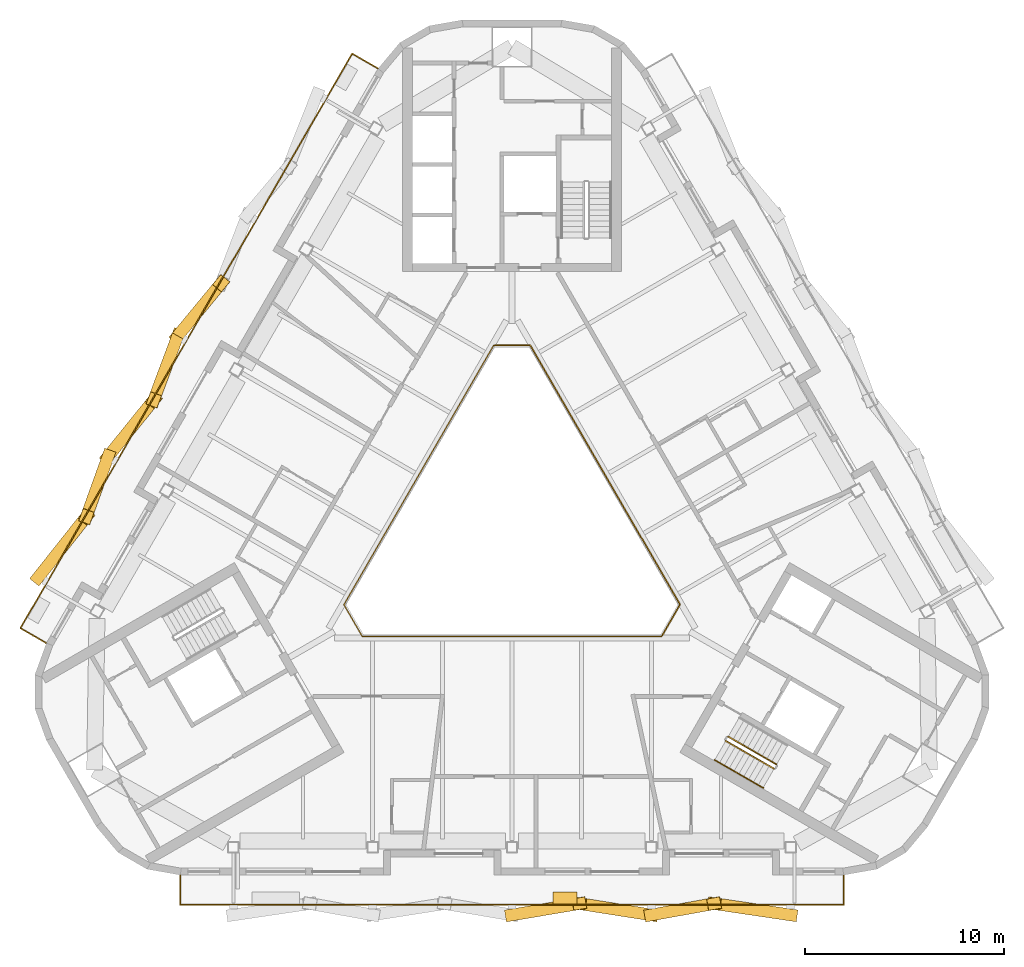
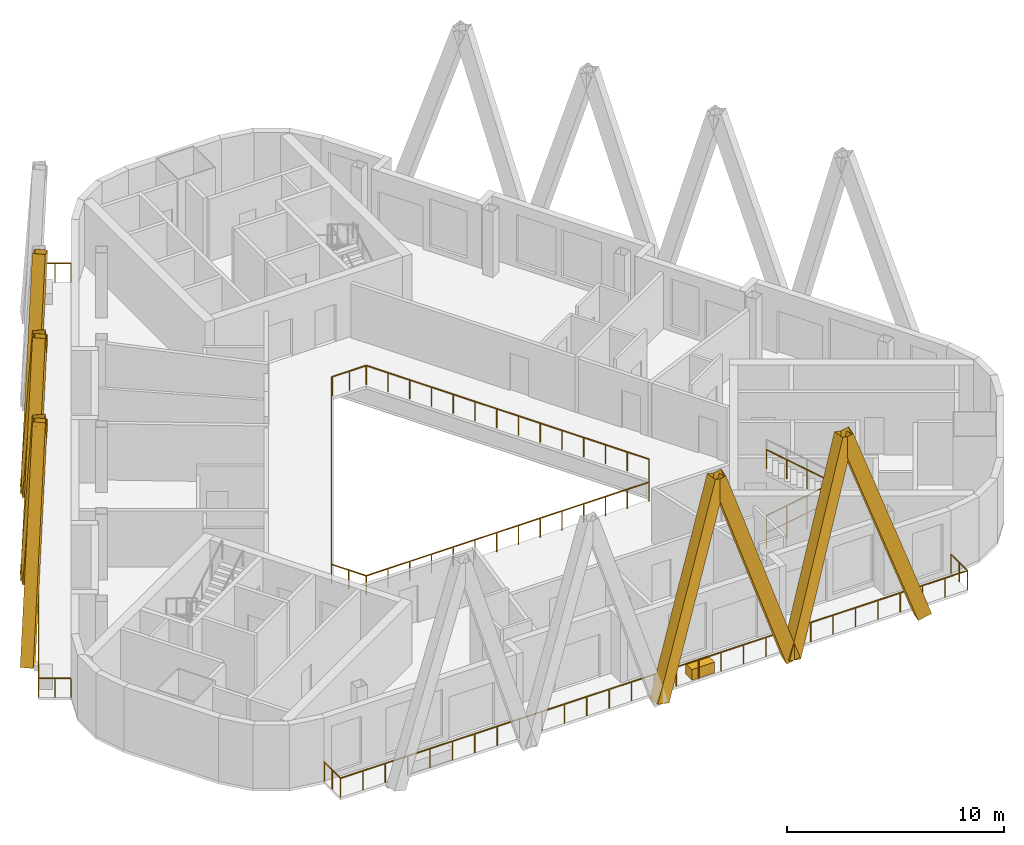
# One storey, part 9 of 12: 9 shading devices, 7 railings, 1 covering.
"""IFC4 building model written with IfcOpenShell, lengths in metres."""

from ifc_helpers import new_model, si_unit, direction, frame, origin, origin_2d, place, context, subcontext, project, spatial, rectangle, hollow_rectangle, circle, extrude, material, material_profile, profile_set, type_object, element, save


model = new_model("IFC4")

# Units and contexts
model_context = context("Model", 3, precision=1e-05, world=origin(), true_north=direction((0.0, 1.0)))
body_context = subcontext(model_context, "Body", "Model", "MODEL_VIEW")
ifc_project = project(units=[si_unit("LENGTHUNIT", "METRE"), si_unit("AREAUNIT", "SQUARE_METRE"), si_unit("VOLUMEUNIT", "CUBIC_METRE"), si_unit("PLANEANGLEUNIT", "RADIAN"), si_unit("MASSUNIT", "GRAM", prefix="KILO")], contexts=[model_context])

# Site, building, storey
site_placement = place(None, origin())
site = spatial("IfcSite", under=ifc_project, at=site_placement, CompositionType="ELEMENT")
building_placement = place(site_placement, origin())
building = spatial("IfcBuilding", under=site, at=building_placement, Name="Apuvela Tower Hotel", CompositionType="ELEMENT")
storey_placement = place(building_placement, frame((0.0, 0.0, 291.10009765625)))
storey = spatial("IfcBuildingStorey", under=building, at=storey_placement, Name="L72", CompositionType="ELEMENT", Elevation=291.10009765625)

# Railings
ifc_material_1 = material(Name="Steel S275 balustrade", Category="steel")
railing_type_1 = type_object("IfcRailingType", Name="COR-GUARD-1100", PredefinedType="GUARDRAIL", material=ifc_material_1)
railing_1_placement = place(storey_placement, frame((10.718994140625, -10.63427734375, 0.16796875)))
element("IfcRailing", 1, at=railing_1_placement, inside=storey, type_object=railing_type_1, Name="L72 ST3 stair guard 1", PredefinedType="GUARDRAIL", context=body_context, shape_type="SweptSolid", body=[
    extrude(rectangle(XDim=0.048095703125, YDim=0.048095703125, at=origin_2d()), frame((0.0, 0.0, 1.076171875), z_axis=(0.742390482028, -0.42860119049, 0.514934356695), x_axis=(0.49998411664, 0.866034573852, 0.0)), (0.0, 0.0, 1.0), 3.26611328125),
    extrude(rectangle(XDim=0.0419921875, YDim=0.0419921875, at=origin_2d()), origin(), (0.0, 0.0, 1.0), 1.052001953125),
    extrude(rectangle(XDim=0.0419921875, YDim=0.0419921875, at=origin_2d()), frame((0.808349609375, -0.466552734375, 0.560546875)), (0.0, 0.0, 1.0), 1.052001953125),
    extrude(rectangle(XDim=0.0419921875, YDim=0.0419921875, at=origin_2d()), frame((1.616455078125, -0.933349609375, 1.121337890625)), (0.0, 0.0, 1.0), 1.052001953125),
    extrude(rectangle(XDim=0.0419921875, YDim=0.0419921875, at=origin_2d()), frame((2.4248046875, -1.39990234375, 1.681884765625)), (0.0, 0.0, 1.0), 1.052001953125),
])
railing_2_placement = place(storey_placement, frame((13.268798828125, -11.817626953125, 2.01806640625)))
element("IfcRailing", 2, at=railing_2_placement, inside=storey, type_object=railing_type_1, Name="L72 ST3 stair guard 3", PredefinedType="GUARDRAIL", context=body_context, shape_type="SweptSolid", body=[
    extrude(rectangle(XDim=0.048095703125, YDim=0.048095703125, at=origin_2d()), frame((0.0, 0.0, 1.076171875), z_axis=(-0.742390482028, 0.42860119049, 0.514934356695), x_axis=(-0.49998411664, -0.866034573852, 0.0)), (0.0, 0.0, 1.0), 3.26611328125),
    extrude(rectangle(XDim=0.0419921875, YDim=0.0419921875, at=origin_2d()), origin(), (0.0, 0.0, 1.0), 1.052001953125),
    extrude(rectangle(XDim=0.0419921875, YDim=0.0419921875, at=origin_2d()), frame((-0.808349609375, 0.466552734375, 0.560546875)), (0.0, 0.0, 1.0), 1.052001953125),
    extrude(rectangle(XDim=0.0419921875, YDim=0.0419921875, at=origin_2d()), frame((-1.616455078125, 0.933349609375, 1.121337890625)), (0.0, 0.0, 1.0), 1.052001953125),
    extrude(rectangle(XDim=0.0419921875, YDim=0.0419921875, at=origin_2d()), frame((-2.4248046875, 1.39990234375, 1.681884765625)), (0.0, 0.0, 1.0), 1.052001953125),
])
ifc_material_2 = material(Name="Stainless steel 316 handrail", Category="steel")
railing_type_2 = type_object("IfcRailingType", Name="COR-HANDRAIL-900", PredefinedType="HANDRAIL", material=ifc_material_2)
railing_3_placement = place(storey_placement, frame((10.1689453125, -11.5869140625, 0.16796875)))
element("IfcRailing", 3, at=railing_3_placement, inside=storey, type_object=railing_type_2, Name="L72 ST3 stair handrail 1", PredefinedType="HANDRAIL", context=body_context, shape_type="SweptSolid", body=[
    extrude(circle(Radius=0.02392578125, at=origin_2d()), frame((0.0, 0.0, 0.8759765625), z_axis=(0.742390482028, -0.42860119049, 0.514934356695), x_axis=(0.49998411664, 0.866034573852, 0.0)), (0.0, 0.0, 1.0), 3.26611328125),
    extrude(rectangle(XDim=0.0419921875, YDim=0.0419921875, at=origin_2d()), origin(), (0.0, 0.0, 1.0), 0.851806640625),
    extrude(rectangle(XDim=0.0419921875, YDim=0.0419921875, at=origin_2d()), frame((0.808349609375, -0.466552734375, 0.560546875)), (0.0, 0.0, 1.0), 0.851806640625),
    extrude(rectangle(XDim=0.0419921875, YDim=0.0419921875, at=origin_2d()), frame((1.616455078125, -0.933349609375, 1.121337890625)), (0.0, 0.0, 1.0), 0.851806640625),
    extrude(rectangle(XDim=0.0419921875, YDim=0.0419921875, at=origin_2d()), frame((2.4248046875, -1.39990234375, 1.681884765625)), (0.0, 0.0, 1.0), 0.851806640625),
])

# Shading devices
ifc_material_3 = material(Name="Aluminium 6063-T6, black anodised", Category="aluminium")
ifc_material_profile = material_profile(ifc_material_3, hollow_rectangle(XDim=0.60009765625, YDim=0.699951171875, WallThickness=0.011962890625, at=origin_2d()), Name="AL BOX 700x600x12")
ifc_profile_set = profile_set([ifc_material_profile], Name="Aluminium 6063-T6, black anodised")
shading_device_type = type_object("IfcShadingDeviceType", Name="ENV-FIN-700x600", PredefinedType="USERDEFINED", material=ifc_profile_set)
shading_device_1_placement = place(storey_placement, frame((0.0, -19.361572265625, -0.10009765625), z_axis=(0.290901704508, 0.048798855503, 0.955507650423), x_axis=(-0.165438737171, 0.986220068871, 0.0)))
element("IfcShadingDevice", 4, at=shading_device_1_placement, inside=storey, type_object=shading_device_type, Name="Lattice fin S629", ObjectType="FIN", PredefinedType="USERDEFINED", context=body_context, shape_type="SweptSolid", body=[
    extrude(hollow_rectangle(XDim=0.60009765625, YDim=0.699951171875, WallThickness=0.011962890625, at=origin_2d()), origin(), (0.0, 0.0, 1.0), 11.616943359375),
])
shading_device_2_placement = place(storey_placement, frame((6.987060546875, -19.361572265625, -0.10009765625), z_axis=(-0.308732532197, 0.048513022925, 0.949910895911), x_axis=(-0.155231309853, -0.987878150604, 0.0)))
element("IfcShadingDevice", 5, at=shading_device_2_placement, inside=storey, type_object=shading_device_type, Name="Lattice fin S630", ObjectType="FIN", PredefinedType="USERDEFINED", context=body_context, shape_type="SweptSolid", body=[
    extrude(hollow_rectangle(XDim=0.60009765625, YDim=0.699951171875, WallThickness=0.011962890625, at=origin_2d()), origin(), (0.0, 0.0, 1.0), 11.685302734375),
])
shading_device_3_placement = place(storey_placement, frame((6.987060546875, -19.361572265625, -0.10009765625), z_axis=(0.272762545956, 0.049070630798, 0.960829155842), x_axis=(-0.177059933756, 0.984200071052, 0.0)))
element("IfcShadingDevice", 6, at=shading_device_3_placement, inside=storey, type_object=shading_device_type, Name="Lattice fin S631", ObjectType="FIN", PredefinedType="USERDEFINED", context=body_context, shape_type="SweptSolid", body=[
    extrude(hollow_rectangle(XDim=0.60009765625, YDim=0.699951171875, WallThickness=0.011962890625, at=origin_2d()), origin(), (0.0, 0.0, 1.0), 11.552734375),
])
shading_device_4_placement = place(storey_placement, frame((13.97412109375, -19.361572265625, -0.10009765625), z_axis=(-0.326243724349, 0.048213971992, 0.944055318945), x_axis=(-0.146197249059, -0.98925545961, 0.0)))
element("IfcShadingDevice", 7, at=shading_device_4_placement, inside=storey, type_object=shading_device_type, Name="Lattice fin S632", ObjectType="FIN", PredefinedType="USERDEFINED", context=body_context, shape_type="SweptSolid", body=[
    extrude(hollow_rectangle(XDim=0.60009765625, YDim=0.699951171875, WallThickness=0.011962890625, at=origin_2d()), origin(), (0.0, 0.0, 1.0), 11.7578125),
])
for number, where, z_axis, x_axis, name in (
    (8, (-16.767578125, 9.680908203125, -0.10009765625), (0.187714175558, 0.227518323398, 0.955509707336), (-0.771354041444, 0.63640627177, 0.0), "Lattice fin NW688"),
    (9, (-16.767578125, 9.680908203125, -0.10009765625), (-0.1031876675, -0.27633699388, 0.955505191555), (0.936817233822, -0.34981919675, 0.0), "Lattice fin NW689"),
):
    element("IfcShadingDevice", number, at=place(storey_placement, frame(where, z_axis=z_axis, x_axis=x_axis)), inside=storey, type_object=shading_device_type, Name=name, ObjectType="FIN", PredefinedType="USERDEFINED", context=body_context, shape_type="SweptSolid", body=[
        extrude(hollow_rectangle(XDim=0.60009765625, YDim=0.699951171875, WallThickness=0.011962890625, at=origin_2d()), origin(), (0.0, 0.0, 1.0), 11.616943359375),
    ])
shading_device_5_placement = place(storey_placement, frame((-20.26123046875, 3.6298828125, -0.10009765625), z_axis=(0.196391864595, 0.243108057067, 0.949909842095), x_axis=(-0.777885876447, 0.628405572242, 0.0)))
element("IfcShadingDevice", 10, at=shading_device_5_placement, inside=storey, type_object=shading_device_type, Name="Lattice fin NW690", ObjectType="FIN", PredefinedType="USERDEFINED", context=body_context, shape_type="SweptSolid", body=[
    extrude(hollow_rectangle(XDim=0.60009765625, YDim=0.699951171875, WallThickness=0.011962890625, at=origin_2d()), origin(), (0.0, 0.0, 1.0), 11.685302734375),
])
shading_device_6_placement = place(storey_placement, frame((-20.26123046875, 3.6298828125, -0.10009765625), z_axis=(-0.093871896274, -0.260778748316, 0.960823871226), x_axis=(0.940897131448, -0.338692468225, 0.0)))
element("IfcShadingDevice", 11, at=shading_device_6_placement, inside=storey, type_object=shading_device_type, Name="Lattice fin NW691", ObjectType="FIN", PredefinedType="USERDEFINED", context=body_context, shape_type="SweptSolid", body=[
    extrude(hollow_rectangle(XDim=0.60009765625, YDim=0.699951171875, WallThickness=0.011962890625, at=origin_2d()), origin(), (0.0, 0.0, 1.0), 11.552734375),
])
shading_device_7_placement = place(storey_placement, frame((-23.7548828125, -2.421142578125, -0.10009765625), z_axis=(0.204899139392, 0.258407964099, 0.944055965908), x_axis=(-0.783564267431, 0.621310742548, 0.0)))
element("IfcShadingDevice", 12, at=shading_device_7_placement, inside=storey, type_object=shading_device_type, Name="Lattice fin NW692", ObjectType="FIN", PredefinedType="USERDEFINED", context=body_context, shape_type="SweptSolid", body=[
    extrude(hollow_rectangle(XDim=0.60009765625, YDim=0.699951171875, WallThickness=0.011962890625, at=origin_2d()), origin(), (0.0, 0.0, 1.0), 11.7578125),
])

# Railings
ifc_material_4 = material(Name="Stainless steel 316 rail with laminated glass infill", Category="steel")
railing_type_3 = type_object("IfcRailingType", Name="ENV-GUARD-1100", PredefinedType="GUARDRAIL", material=ifc_material_4)
railing_4_placement = place(storey_placement, frame((-16.6416015625, -17.361572265625, 0.0)))
element("IfcRailing", 13, at=railing_4_placement, inside=storey, type_object=railing_type_3, Name="Balcony guard S L72", PredefinedType="GUARDRAIL", context=body_context, shape_type="SweptSolid", body=[
    extrude(rectangle(XDim=0.050048828125, YDim=0.050048828125, at=origin_2d()), frame((0.0, 0.0, 1.0751953125), z_axis=(0.0, -1.0, 0.0), x_axis=(1.0, 0.0, 0.0)), (0.0, 0.0, 1.0), 1.5),
    extrude(rectangle(XDim=0.050048828125, YDim=0.050048828125, at=origin_2d()), frame((0.0, -1.5, 1.0751953125), z_axis=(1.0, 0.0, 0.0), x_axis=(0.0, 1.0, 0.0)), (0.0, 0.0, 1.0), 33.283203125),
    extrude(rectangle(XDim=0.050048828125, YDim=0.050048828125, at=origin_2d()), frame((33.283203125, -1.5, 1.0751953125), z_axis=(0.0, 1.0, 0.0), x_axis=(-1.0, 0.0, 0.0)), (0.0, 0.0, 1.0), 1.5),
    extrude(rectangle(XDim=0.0400390625, YDim=0.0400390625, at=origin_2d()), origin(), (0.0, 0.0, 1.0), 1.050048828125),
    extrude(rectangle(XDim=0.0400390625, YDim=0.0400390625, at=origin_2d()), frame((0.0, -0.75, 0.0)), (0.0, 0.0, 1.0), 1.050048828125),
    extrude(rectangle(XDim=0.0400390625, YDim=0.0400390625, at=origin_2d()), frame((0.0, -1.5, 0.0)), (0.0, 0.0, 1.0), 1.050048828125),
    extrude(rectangle(XDim=0.0400390625, YDim=0.0400390625, at=origin_2d()), frame((1.188720703125, -1.5, 0.0)), (0.0, 0.0, 1.0), 1.050048828125),
    extrude(rectangle(XDim=0.0400390625, YDim=0.0400390625, at=origin_2d()), frame((2.37744140625, -1.5, 0.0)), (0.0, 0.0, 1.0), 1.050048828125),
    extrude(rectangle(XDim=0.0400390625, YDim=0.0400390625, at=origin_2d()), frame((3.566162109375, -1.5, 0.0)), (0.0, 0.0, 1.0), 1.050048828125),
    extrude(rectangle(XDim=0.0400390625, YDim=0.0400390625, at=origin_2d()), frame((4.754638671875, -1.5, 0.0)), (0.0, 0.0, 1.0), 1.050048828125),
    extrude(rectangle(XDim=0.0400390625, YDim=0.0400390625, at=origin_2d()), frame((5.943359375, -1.5, 0.0)), (0.0, 0.0, 1.0), 1.050048828125),
    extrude(rectangle(XDim=0.0400390625, YDim=0.0400390625, at=origin_2d()), frame((7.132080078125, -1.5, 0.0)), (0.0, 0.0, 1.0), 1.050048828125),
    extrude(rectangle(XDim=0.0400390625, YDim=0.0400390625, at=origin_2d()), frame((8.32080078125, -1.5, 0.0)), (0.0, 0.0, 1.0), 1.050048828125),
    extrude(rectangle(XDim=0.0400390625, YDim=0.0400390625, at=origin_2d()), frame((9.509521484375, -1.5, 0.0)), (0.0, 0.0, 1.0), 1.050048828125),
    extrude(rectangle(XDim=0.0400390625, YDim=0.0400390625, at=origin_2d()), frame((10.6982421875, -1.5, 0.0)), (0.0, 0.0, 1.0), 1.050048828125),
    extrude(rectangle(XDim=0.0400390625, YDim=0.0400390625, at=origin_2d()), frame((11.886962890625, -1.5, 0.0)), (0.0, 0.0, 1.0), 1.050048828125),
    extrude(rectangle(XDim=0.0400390625, YDim=0.0400390625, at=origin_2d()), frame((13.075439453125, -1.5, 0.0)), (0.0, 0.0, 1.0), 1.050048828125),
    extrude(rectangle(XDim=0.0400390625, YDim=0.0400390625, at=origin_2d()), frame((14.26416015625, -1.5, 0.0)), (0.0, 0.0, 1.0), 1.050048828125),
    extrude(rectangle(XDim=0.0400390625, YDim=0.0400390625, at=origin_2d()), frame((15.452880859375, -1.5, 0.0)), (0.0, 0.0, 1.0), 1.050048828125),
    extrude(rectangle(XDim=0.0400390625, YDim=0.0400390625, at=origin_2d()), frame((16.6416015625, -1.5, 0.0)), (0.0, 0.0, 1.0), 1.050048828125),
    extrude(rectangle(XDim=0.0400390625, YDim=0.0400390625, at=origin_2d()), frame((17.830322265625, -1.5, 0.0)), (0.0, 0.0, 1.0), 1.050048828125),
    extrude(rectangle(XDim=0.0400390625, YDim=0.0400390625, at=origin_2d()), frame((19.01904296875, -1.5, 0.0)), (0.0, 0.0, 1.0), 1.050048828125),
    extrude(rectangle(XDim=0.0400390625, YDim=0.0400390625, at=origin_2d()), frame((20.207763671875, -1.5, 0.0)), (0.0, 0.0, 1.0), 1.050048828125),
    extrude(rectangle(XDim=0.0400390625, YDim=0.0400390625, at=origin_2d()), frame((21.396240234375, -1.5, 0.0)), (0.0, 0.0, 1.0), 1.050048828125),
    extrude(rectangle(XDim=0.0400390625, YDim=0.0400390625, at=origin_2d()), frame((22.5849609375, -1.5, 0.0)), (0.0, 0.0, 1.0), 1.050048828125),
    extrude(rectangle(XDim=0.0400390625, YDim=0.0400390625, at=origin_2d()), frame((23.773681640625, -1.5, 0.0)), (0.0, 0.0, 1.0), 1.050048828125),
    extrude(rectangle(XDim=0.0400390625, YDim=0.0400390625, at=origin_2d()), frame((24.96240234375, -1.5, 0.0)), (0.0, 0.0, 1.0), 1.050048828125),
    extrude(rectangle(XDim=0.0400390625, YDim=0.0400390625, at=origin_2d()), frame((26.151123046875, -1.5, 0.0)), (0.0, 0.0, 1.0), 1.050048828125),
    extrude(rectangle(XDim=0.0400390625, YDim=0.0400390625, at=origin_2d()), frame((27.33984375, -1.5, 0.0)), (0.0, 0.0, 1.0), 1.050048828125),
    extrude(rectangle(XDim=0.0400390625, YDim=0.0400390625, at=origin_2d()), frame((28.528564453125, -1.5, 0.0)), (0.0, 0.0, 1.0), 1.050048828125),
    extrude(rectangle(XDim=0.0400390625, YDim=0.0400390625, at=origin_2d()), frame((29.717041015625, -1.5, 0.0)), (0.0, 0.0, 1.0), 1.050048828125),
    extrude(rectangle(XDim=0.0400390625, YDim=0.0400390625, at=origin_2d()), frame((30.90576171875, -1.5, 0.0)), (0.0, 0.0, 1.0), 1.050048828125),
    extrude(rectangle(XDim=0.0400390625, YDim=0.0400390625, at=origin_2d()), frame((32.094482421875, -1.5, 0.0)), (0.0, 0.0, 1.0), 1.050048828125),
    extrude(rectangle(XDim=0.0400390625, YDim=0.0400390625, at=origin_2d()), frame((33.283203125, -1.5, 0.0)), (0.0, 0.0, 1.0), 1.050048828125),
    extrude(rectangle(XDim=0.0400390625, YDim=0.0400390625, at=origin_2d()), frame((33.283203125, -0.75, 0.0)), (0.0, 0.0, 1.0), 1.050048828125),
    extrude(rectangle(XDim=0.0400390625, YDim=0.0400390625, at=origin_2d()), frame((33.283203125, 0.0, 0.0)), (0.0, 0.0, 1.0), 1.050048828125),
])
railing_5_placement = place(storey_placement, frame((-6.71484375, 23.0927734375, 0.0)))
element("IfcRailing", 14, at=railing_5_placement, inside=storey, type_object=railing_type_3, Name="Balcony guard NW L72", PredefinedType="GUARDRAIL", context=body_context, shape_type="SweptSolid", body=[
    extrude(rectangle(XDim=0.050048828125, YDim=0.050048828125, at=origin_2d()), frame((0.0, 0.0, 1.0751953125), z_axis=(-0.866031096941, 0.499990139034, 0.0), x_axis=(-0.499990139034, -0.866031096941, 0.0)), (0.0, 0.0, 1.0), 1.5),
    extrude(rectangle(XDim=0.050048828125, YDim=0.050048828125, at=origin_2d()), frame((-1.299072265625, 0.75, 1.0751953125), z_axis=(-0.500001623856, -0.866024466248, 0.0), x_axis=(0.866024466248, -0.500001623856, 0.0)), (0.0, 0.0, 1.0), 33.283203125),
    extrude(rectangle(XDim=0.050048828125, YDim=0.050048828125, at=origin_2d()), frame((-17.940673828125, -28.073974609375, 1.0751953125), z_axis=(0.866031096941, -0.499990139034, 0.0), x_axis=(0.499990139034, 0.866031096941, 0.0)), (0.0, 0.0, 1.0), 1.5),
    extrude(rectangle(XDim=0.0400390625, YDim=0.0400390625, at=origin_2d()), origin(), (0.0, 0.0, 1.0), 1.050048828125),
    extrude(rectangle(XDim=0.0400390625, YDim=0.0400390625, at=origin_2d()), frame((-0.6494140625, 0.375, 0.0)), (0.0, 0.0, 1.0), 1.050048828125),
    extrude(rectangle(XDim=0.0400390625, YDim=0.0400390625, at=origin_2d()), frame((-1.299072265625, 0.75, 0.0)), (0.0, 0.0, 1.0), 1.050048828125),
    extrude(rectangle(XDim=0.0400390625, YDim=0.0400390625, at=origin_2d()), frame((-1.893310546875, -0.279541015625, 0.0)), (0.0, 0.0, 1.0), 1.050048828125),
    extrude(rectangle(XDim=0.0400390625, YDim=0.0400390625, at=origin_2d()), frame((-2.48779296875, -1.308837890625, 0.0)), (0.0, 0.0, 1.0), 1.050048828125),
    extrude(rectangle(XDim=0.0400390625, YDim=0.0400390625, at=origin_2d()), frame((-3.08203125, -2.33837890625, 0.0)), (0.0, 0.0, 1.0), 1.050048828125),
    extrude(rectangle(XDim=0.0400390625, YDim=0.0400390625, at=origin_2d()), frame((-3.676513671875, -3.36767578125, 0.0)), (0.0, 0.0, 1.0), 1.050048828125),
    extrude(rectangle(XDim=0.0400390625, YDim=0.0400390625, at=origin_2d()), frame((-4.270751953125, -4.397216796875, 0.0)), (0.0, 0.0, 1.0), 1.050048828125),
    extrude(rectangle(XDim=0.0400390625, YDim=0.0400390625, at=origin_2d()), frame((-4.865234375, -5.426513671875, 0.0)), (0.0, 0.0, 1.0), 1.050048828125),
    extrude(rectangle(XDim=0.0400390625, YDim=0.0400390625, at=origin_2d()), frame((-5.45947265625, -6.4560546875, 0.0)), (0.0, 0.0, 1.0), 1.050048828125),
    extrude(rectangle(XDim=0.0400390625, YDim=0.0400390625, at=origin_2d()), frame((-6.0537109375, -7.4853515625, 0.0)), (0.0, 0.0, 1.0), 1.050048828125),
    extrude(rectangle(XDim=0.0400390625, YDim=0.0400390625, at=origin_2d()), frame((-6.648193359375, -8.514892578125, 0.0)), (0.0, 0.0, 1.0), 1.050048828125),
    extrude(rectangle(XDim=0.0400390625, YDim=0.0400390625, at=origin_2d()), frame((-7.242431640625, -9.544189453125, 0.0)), (0.0, 0.0, 1.0), 1.050048828125),
    extrude(rectangle(XDim=0.0400390625, YDim=0.0400390625, at=origin_2d()), frame((-7.8369140625, -10.57373046875, 0.0)), (0.0, 0.0, 1.0), 1.050048828125),
    extrude(rectangle(XDim=0.0400390625, YDim=0.0400390625, at=origin_2d()), frame((-8.43115234375, -11.60302734375, 0.0)), (0.0, 0.0, 1.0), 1.050048828125),
    extrude(rectangle(XDim=0.0400390625, YDim=0.0400390625, at=origin_2d()), frame((-9.025634765625, -12.632568359375, 0.0)), (0.0, 0.0, 1.0), 1.050048828125),
    extrude(rectangle(XDim=0.0400390625, YDim=0.0400390625, at=origin_2d()), frame((-9.619873046875, -13.662109375, 0.0)), (0.0, 0.0, 1.0), 1.050048828125),
    extrude(rectangle(XDim=0.0400390625, YDim=0.0400390625, at=origin_2d()), frame((-10.214111328125, -14.69140625, 0.0)), (0.0, 0.0, 1.0), 1.050048828125),
    extrude(rectangle(XDim=0.0400390625, YDim=0.0400390625, at=origin_2d()), frame((-10.80859375, -15.720947265625, 0.0)), (0.0, 0.0, 1.0), 1.050048828125),
    extrude(rectangle(XDim=0.0400390625, YDim=0.0400390625, at=origin_2d()), frame((-11.40283203125, -16.750244140625, 0.0)), (0.0, 0.0, 1.0), 1.050048828125),
    extrude(rectangle(XDim=0.0400390625, YDim=0.0400390625, at=origin_2d()), frame((-11.997314453125, -17.77978515625, 0.0)), (0.0, 0.0, 1.0), 1.050048828125),
    extrude(rectangle(XDim=0.0400390625, YDim=0.0400390625, at=origin_2d()), frame((-12.591552734375, -18.80908203125, 0.0)), (0.0, 0.0, 1.0), 1.050048828125),
    extrude(rectangle(XDim=0.0400390625, YDim=0.0400390625, at=origin_2d()), frame((-13.18603515625, -19.838623046875, 0.0)), (0.0, 0.0, 1.0), 1.050048828125),
    extrude(rectangle(XDim=0.0400390625, YDim=0.0400390625, at=origin_2d()), frame((-13.7802734375, -20.867919921875, 0.0)), (0.0, 0.0, 1.0), 1.050048828125),
    extrude(rectangle(XDim=0.0400390625, YDim=0.0400390625, at=origin_2d()), frame((-14.37451171875, -21.8974609375, 0.0)), (0.0, 0.0, 1.0), 1.050048828125),
    extrude(rectangle(XDim=0.0400390625, YDim=0.0400390625, at=origin_2d()), frame((-14.968994140625, -22.9267578125, 0.0)), (0.0, 0.0, 1.0), 1.050048828125),
    extrude(rectangle(XDim=0.0400390625, YDim=0.0400390625, at=origin_2d()), frame((-15.563232421875, -23.956298828125, 0.0)), (0.0, 0.0, 1.0), 1.050048828125),
    extrude(rectangle(XDim=0.0400390625, YDim=0.0400390625, at=origin_2d()), frame((-16.15771484375, -24.985595703125, 0.0)), (0.0, 0.0, 1.0), 1.050048828125),
    extrude(rectangle(XDim=0.0400390625, YDim=0.0400390625, at=origin_2d()), frame((-16.751953125, -26.01513671875, 0.0)), (0.0, 0.0, 1.0), 1.050048828125),
    extrude(rectangle(XDim=0.0400390625, YDim=0.0400390625, at=origin_2d()), frame((-17.346435546875, -27.04443359375, 0.0)), (0.0, 0.0, 1.0), 1.050048828125),
    extrude(rectangle(XDim=0.0400390625, YDim=0.0400390625, at=origin_2d()), frame((-17.940673828125, -28.073974609375, 0.0)), (0.0, 0.0, 1.0), 1.050048828125),
    extrude(rectangle(XDim=0.0400390625, YDim=0.0400390625, at=origin_2d()), frame((-17.291015625, -28.448974609375, 0.0)), (0.0, 0.0, 1.0), 1.050048828125),
    extrude(rectangle(XDim=0.0400390625, YDim=0.0400390625, at=origin_2d()), frame((-16.6416015625, -28.823974609375, 0.0)), (0.0, 0.0, 1.0), 1.050048828125),
])
railing_6_placement = place(storey_placement, frame((-0.923828125, 9.199951171875, 0.0)))
element("IfcRailing", 15, at=railing_6_placement, inside=storey, type_object=railing_type_3, Name="Atrium void guard A L72", PredefinedType="GUARDRAIL", context=body_context, shape_type="SweptSolid", body=[
    extrude(rectangle(XDim=0.050048828125, YDim=0.050048828125, at=origin_2d()), frame((0.0, 0.0, 1.0751953125), z_axis=(-0.499990886379, -0.866030665472, 0.0), x_axis=(0.866030665472, -0.499990886379, 0.0)), (0.0, 0.0, 1.0), 15.010986328125),
    extrude(rectangle(XDim=0.050048828125, YDim=0.050048828125, at=origin_2d()), frame((-7.50537109375, -13.0, 1.0751953125), z_axis=(0.499962699187, -0.866046938348, 0.0), x_axis=(0.866046938348, 0.499962699187, 0.0)), (0.0, 0.0, 1.0), 1.847412109375),
    extrude(rectangle(XDim=0.050048828125, YDim=0.050048828125, at=origin_2d()), frame((-6.581787109375, -14.599853515625, 1.0751953125), z_axis=(1.0, 0.0, 0.0), x_axis=(0.0, 1.0, 0.0)), (0.0, 0.0, 1.0), 15.01123046875),
    extrude(rectangle(XDim=0.0400390625, YDim=0.0400390625, at=origin_2d()), origin(), (0.0, 0.0, 1.0), 1.050048828125),
    extrude(rectangle(XDim=0.0400390625, YDim=0.0400390625, at=origin_2d()), frame((-0.577392578125, -1.0, 0.0)), (0.0, 0.0, 1.0), 1.050048828125),
    extrude(rectangle(XDim=0.0400390625, YDim=0.0400390625, at=origin_2d()), frame((-1.15478515625, -2.0, 0.0)), (0.0, 0.0, 1.0), 1.050048828125),
    extrude(rectangle(XDim=0.0400390625, YDim=0.0400390625, at=origin_2d()), frame((-1.73193359375, -3.0, 0.0)), (0.0, 0.0, 1.0), 1.050048828125),
    extrude(rectangle(XDim=0.0400390625, YDim=0.0400390625, at=origin_2d()), frame((-2.309326171875, -4.0, 0.0)), (0.0, 0.0, 1.0), 1.050048828125),
    extrude(rectangle(XDim=0.0400390625, YDim=0.0400390625, at=origin_2d()), frame((-2.88671875, -5.0, 0.0)), (0.0, 0.0, 1.0), 1.050048828125),
    extrude(rectangle(XDim=0.0400390625, YDim=0.0400390625, at=origin_2d()), frame((-3.464111328125, -6.0, 0.0)), (0.0, 0.0, 1.0), 1.050048828125),
    extrude(rectangle(XDim=0.0400390625, YDim=0.0400390625, at=origin_2d()), frame((-4.041259765625, -7.0, 0.0)), (0.0, 0.0, 1.0), 1.050048828125),
    extrude(rectangle(XDim=0.0400390625, YDim=0.0400390625, at=origin_2d()), frame((-4.61865234375, -8.0, 0.0)), (0.0, 0.0, 1.0), 1.050048828125),
    extrude(rectangle(XDim=0.0400390625, YDim=0.0400390625, at=origin_2d()), frame((-5.196044921875, -9.0, 0.0)), (0.0, 0.0, 1.0), 1.050048828125),
    extrude(rectangle(XDim=0.0400390625, YDim=0.0400390625, at=origin_2d()), frame((-5.7734375, -10.0, 0.0)), (0.0, 0.0, 1.0), 1.050048828125),
    extrude(rectangle(XDim=0.0400390625, YDim=0.0400390625, at=origin_2d()), frame((-6.3505859375, -11.0, 0.0)), (0.0, 0.0, 1.0), 1.050048828125),
    extrude(rectangle(XDim=0.0400390625, YDim=0.0400390625, at=origin_2d()), frame((-6.927978515625, -12.0, 0.0)), (0.0, 0.0, 1.0), 1.050048828125),
    extrude(rectangle(XDim=0.0400390625, YDim=0.0400390625, at=origin_2d()), frame((-7.50537109375, -13.0, 0.0)), (0.0, 0.0, 1.0), 1.050048828125),
    extrude(rectangle(XDim=0.0400390625, YDim=0.0400390625, at=origin_2d()), frame((-7.04345703125, -13.7998046875, 0.0)), (0.0, 0.0, 1.0), 1.050048828125),
    extrude(rectangle(XDim=0.0400390625, YDim=0.0400390625, at=origin_2d()), frame((-6.581787109375, -14.599853515625, 0.0)), (0.0, 0.0, 1.0), 1.050048828125),
    extrude(rectangle(XDim=0.0400390625, YDim=0.0400390625, at=origin_2d()), frame((-5.427001953125, -14.599853515625, 0.0)), (0.0, 0.0, 1.0), 1.050048828125),
    extrude(rectangle(XDim=0.0400390625, YDim=0.0400390625, at=origin_2d()), frame((-4.2724609375, -14.599853515625, 0.0)), (0.0, 0.0, 1.0), 1.050048828125),
    extrude(rectangle(XDim=0.0400390625, YDim=0.0400390625, at=origin_2d()), frame((-3.11767578125, -14.599853515625, 0.0)), (0.0, 0.0, 1.0), 1.050048828125),
    extrude(rectangle(XDim=0.0400390625, YDim=0.0400390625, at=origin_2d()), frame((-1.962890625, -14.599853515625, 0.0)), (0.0, 0.0, 1.0), 1.050048828125),
    extrude(rectangle(XDim=0.0400390625, YDim=0.0400390625, at=origin_2d()), frame((-0.808349609375, -14.599853515625, 0.0)), (0.0, 0.0, 1.0), 1.050048828125),
    extrude(rectangle(XDim=0.0400390625, YDim=0.0400390625, at=origin_2d()), frame((0.346435546875, -14.599853515625, 0.0)), (0.0, 0.0, 1.0), 1.050048828125),
    extrude(rectangle(XDim=0.0400390625, YDim=0.0400390625, at=origin_2d()), frame((1.501220703125, -14.599853515625, 0.0)), (0.0, 0.0, 1.0), 1.050048828125),
    extrude(rectangle(XDim=0.0400390625, YDim=0.0400390625, at=origin_2d()), frame((2.656005859375, -14.599853515625, 0.0)), (0.0, 0.0, 1.0), 1.050048828125),
    extrude(rectangle(XDim=0.0400390625, YDim=0.0400390625, at=origin_2d()), frame((3.810546875, -14.599853515625, 0.0)), (0.0, 0.0, 1.0), 1.050048828125),
    extrude(rectangle(XDim=0.0400390625, YDim=0.0400390625, at=origin_2d()), frame((4.96533203125, -14.599853515625, 0.0)), (0.0, 0.0, 1.0), 1.050048828125),
    extrude(rectangle(XDim=0.0400390625, YDim=0.0400390625, at=origin_2d()), frame((6.1201171875, -14.599853515625, 0.0)), (0.0, 0.0, 1.0), 1.050048828125),
    extrude(rectangle(XDim=0.0400390625, YDim=0.0400390625, at=origin_2d()), frame((7.274658203125, -14.599853515625, 0.0)), (0.0, 0.0, 1.0), 1.050048828125),
    extrude(rectangle(XDim=0.0400390625, YDim=0.0400390625, at=origin_2d()), frame((8.429443359375, -14.599853515625, 0.0)), (0.0, 0.0, 1.0), 1.050048828125),
])
railing_7_placement = place(storey_placement, frame((7.53564453125, -5.347900390625, 0.0)))
element("IfcRailing", 16, at=railing_7_placement, inside=storey, type_object=railing_type_3, Name="Atrium void guard B L72", PredefinedType="GUARDRAIL", context=body_context, shape_type="SweptSolid", body=[
    extrude(rectangle(XDim=0.050048828125, YDim=0.050048828125, at=origin_2d()), frame((0.0, 0.0, 1.0751953125), z_axis=(0.499958946799, 0.866049104564, 0.0), x_axis=(-0.866049104564, 0.499958946799, 0.0)), (0.0, 0.0, 1.0), 1.787353515625),
    extrude(rectangle(XDim=0.050048828125, YDim=0.050048828125, at=origin_2d()), frame((0.8935546875, 1.5478515625, 1.0751953125), z_axis=(-0.499990886379, 0.866030665472, 0.0), x_axis=(-0.866030665472, -0.499990886379, 0.0)), (0.0, 0.0, 1.0), 15.010986328125),
    extrude(rectangle(XDim=0.050048828125, YDim=0.050048828125, at=origin_2d()), frame((-6.61181640625, 14.5478515625, 1.0751953125), z_axis=(-1.0, 0.0, 0.0), x_axis=(0.0, -1.0, 0.0)), (0.0, 0.0, 1.0), 1.78759765625),
    extrude(rectangle(XDim=0.0400390625, YDim=0.0400390625, at=origin_2d()), origin(), (0.0, 0.0, 1.0), 1.050048828125),
    extrude(rectangle(XDim=0.0400390625, YDim=0.0400390625, at=origin_2d()), frame((0.44677734375, 0.77392578125, 0.0)), (0.0, 0.0, 1.0), 1.050048828125),
    extrude(rectangle(XDim=0.0400390625, YDim=0.0400390625, at=origin_2d()), frame((0.8935546875, 1.5478515625, 0.0)), (0.0, 0.0, 1.0), 1.050048828125),
    extrude(rectangle(XDim=0.0400390625, YDim=0.0400390625, at=origin_2d()), frame((0.316162109375, 2.5478515625, 0.0)), (0.0, 0.0, 1.0), 1.050048828125),
    extrude(rectangle(XDim=0.0400390625, YDim=0.0400390625, at=origin_2d()), frame((-0.26123046875, 3.5478515625, 0.0)), (0.0, 0.0, 1.0), 1.050048828125),
    extrude(rectangle(XDim=0.0400390625, YDim=0.0400390625, at=origin_2d()), frame((-0.83837890625, 4.5478515625, 0.0)), (0.0, 0.0, 1.0), 1.050048828125),
    extrude(rectangle(XDim=0.0400390625, YDim=0.0400390625, at=origin_2d()), frame((-1.415771484375, 5.5478515625, 0.0)), (0.0, 0.0, 1.0), 1.050048828125),
    extrude(rectangle(XDim=0.0400390625, YDim=0.0400390625, at=origin_2d()), frame((-1.9931640625, 6.5478515625, 0.0)), (0.0, 0.0, 1.0), 1.050048828125),
    extrude(rectangle(XDim=0.0400390625, YDim=0.0400390625, at=origin_2d()), frame((-2.570556640625, 7.5478515625, 0.0)), (0.0, 0.0, 1.0), 1.050048828125),
    extrude(rectangle(XDim=0.0400390625, YDim=0.0400390625, at=origin_2d()), frame((-3.147705078125, 8.5478515625, 0.0)), (0.0, 0.0, 1.0), 1.050048828125),
    extrude(rectangle(XDim=0.0400390625, YDim=0.0400390625, at=origin_2d()), frame((-3.72509765625, 9.5478515625, 0.0)), (0.0, 0.0, 1.0), 1.050048828125),
    extrude(rectangle(XDim=0.0400390625, YDim=0.0400390625, at=origin_2d()), frame((-4.302490234375, 10.5478515625, 0.0)), (0.0, 0.0, 1.0), 1.050048828125),
    extrude(rectangle(XDim=0.0400390625, YDim=0.0400390625, at=origin_2d()), frame((-4.8798828125, 11.5478515625, 0.0)), (0.0, 0.0, 1.0), 1.050048828125),
    extrude(rectangle(XDim=0.0400390625, YDim=0.0400390625, at=origin_2d()), frame((-5.45703125, 12.5478515625, 0.0)), (0.0, 0.0, 1.0), 1.050048828125),
    extrude(rectangle(XDim=0.0400390625, YDim=0.0400390625, at=origin_2d()), frame((-6.034423828125, 13.5478515625, 0.0)), (0.0, 0.0, 1.0), 1.050048828125),
    extrude(rectangle(XDim=0.0400390625, YDim=0.0400390625, at=origin_2d()), frame((-6.61181640625, 14.5478515625, 0.0)), (0.0, 0.0, 1.0), 1.050048828125),
    extrude(rectangle(XDim=0.0400390625, YDim=0.0400390625, at=origin_2d()), frame((-7.505615234375, 14.5478515625, 0.0)), (0.0, 0.0, 1.0), 1.050048828125),
    extrude(rectangle(XDim=0.0400390625, YDim=0.0400390625, at=origin_2d()), frame((-8.3994140625, 14.5478515625, 0.0)), (0.0, 0.0, 1.0), 1.050048828125),
])

# Covering
ifc_material_5 = material(Name="Planting substrate and soil, planted")
covering_type = type_object("IfcCoveringType", Name="ENV-PLANTER-1200x600", PredefinedType="USERDEFINED", material=ifc_material_5)
covering_placement = place(storey_placement, frame((2.64990234375, -18.51171875, -0.000244140625), z_axis=(0.0, 0.0, 1.0), x_axis=(1.0, 0.0, 0.0)))
element("IfcCovering", 17, at=covering_placement, inside=storey, type_object=covering_type, Name="Planter S2", ObjectType="PLANTER", PredefinedType="USERDEFINED", context=body_context, shape_type="SweptSolid", body=[
    extrude(rectangle(XDim=1.199951171875, YDim=0.60009765625, at=origin_2d()), origin(), (0.0, 0.0, 1.0), 0.60009765625),
])

save(model, "model.ifc")
